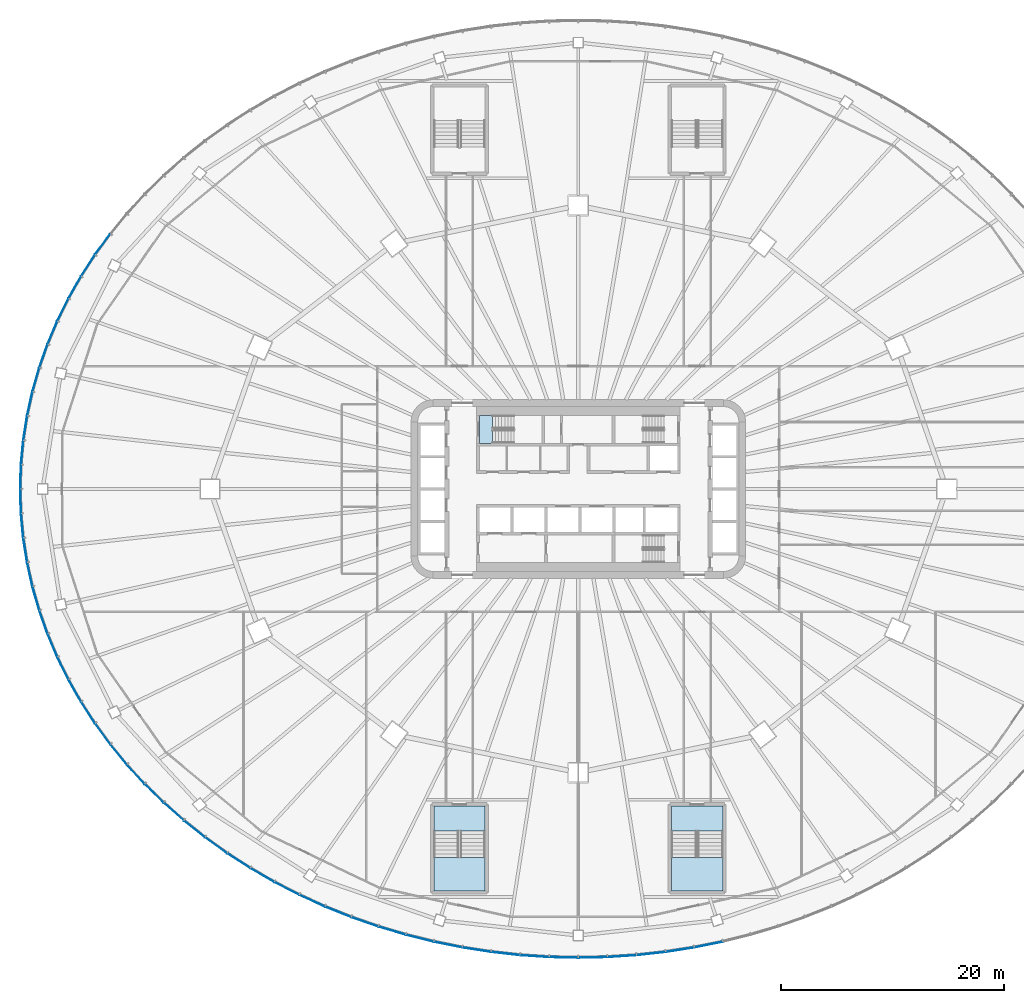
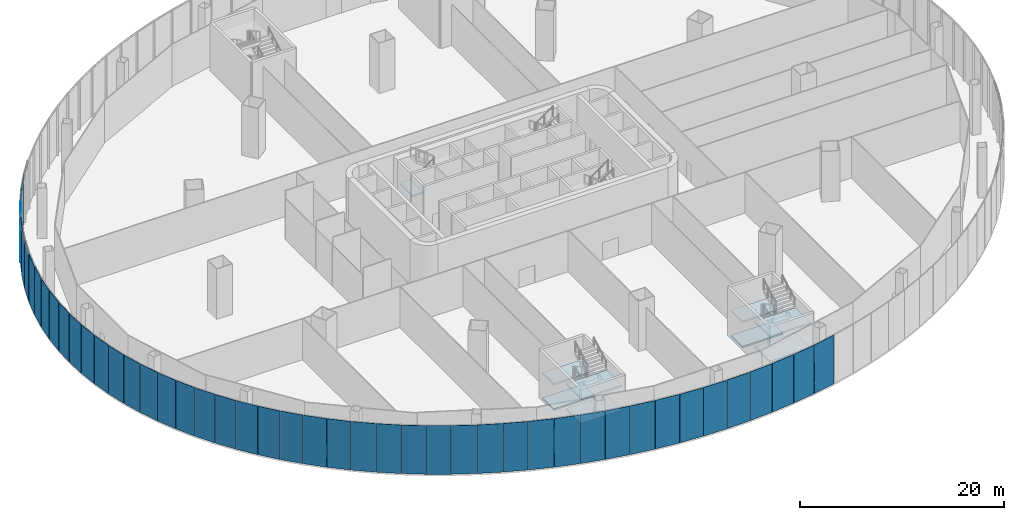
# One storey, part 16 of 37: 46 plates, 9 slabs, 13 elements without a shape of their own.
"""IFC4 building model written with IfcOpenShell, lengths in metres."""

from ifc_helpers import new_model, si_unit, direction, frame, origin, place, context, subcontext, project, spatial, polyline, outline, extrude, material, layer, layer_set, type_object, element, aggregate, save


model = new_model("IFC4")

# Units and contexts
model_context = context("Model", 3, precision=1e-05, world=origin(), true_north=direction((0.0, 1.0)))
body_context = subcontext(model_context, "Body", "Model", "MODEL_VIEW")
ifc_project = project(units=[si_unit("LENGTHUNIT", "METRE"), si_unit("AREAUNIT", "SQUARE_METRE"), si_unit("VOLUMEUNIT", "CUBIC_METRE"), si_unit("PLANEANGLEUNIT", "RADIAN"), si_unit("MASSUNIT", "GRAM", prefix="KILO")], contexts=[model_context])

# Site, building, storey
site_placement = place(None, origin())
site = spatial("IfcSite", under=ifc_project, at=site_placement, CompositionType="ELEMENT")
building_placement = place(site_placement, origin())
building = spatial("IfcBuilding", under=site, at=building_placement, Name="Sahrelin Media Tower", CompositionType="ELEMENT")
storey_placement = place(building_placement, frame((0.0, 0.0, 31.39990234375)))
storey = spatial("IfcBuildingStorey", under=building, at=storey_placement, Name="L04", CompositionType="ELEMENT", Elevation=31.39990234375)

# Curtain wall, plate
ifc_material_1 = material(Name="Champagne anodised aluminium 6063-T6", Category="aluminium")
ifc_layer_1 = layer(ifc_material_1, 0.14990234375)
ifc_layer_set_1 = layer_set([ifc_layer_1], Name="Podium ribbon curtain wall")
curtain_wall_type = type_object("IfcCurtainWallType", Name="Podium ribbon curtain wall", PredefinedType="NOTDEFINED", material=ifc_layer_set_1)
curtain_wall_1_placement = place(storey_placement, frame((-35.355224609375, 29.698486328125, 0.0), z_axis=(0.0, 0.0, 1.0), x_axis=(1.0, 0.0, 0.0)))
curtain_wall_1 = element("IfcCurtainWall", 1, at=curtain_wall_1_placement, inside=storey, type_object=curtain_wall_type, Name="L04:CW:L04-P09", PredefinedType="NOTDEFINED")
ifc_material_2 = material(Name="Clear low-iron glazing", Category="glass")
ifc_layer_2 = layer(ifc_material_2, 0.050048828125)
ifc_layer_set_2 = layer_set([ifc_layer_2], Name="Glazing panel 50 mm CW5")
plate_type = type_object("IfcPlateType", Name="Glazing panel 50 mm CW5", PredefinedType="CURTAIN_PANEL", material=ifc_layer_set_2)
plate_1_placement = place(storey_placement, frame((-41.97900390625, 22.84619140625, 0.0), z_axis=(-0.807851823107, 0.589385639376, 0.0), x_axis=(-0.589385639376, -0.807851823107, 0.0)))
plate_1 = element("IfcPlate", 2, at=plate_1_placement, type_object=plate_type, Name="L04:CWP5a:L04-P09", PredefinedType="CURTAIN_PANEL", context=body_context, shape_type="SweptSolid", body=[
    extrude(outline(polyline([(0.0, 0.0), (2.270751953125, 0.0), (2.270751953125, 5.800048828125), (0.0, 5.800048828125), (0.0, 0.0)])), origin(), (0.0, 0.0, -1.0), 0.050048828125),
])
aggregate(curtain_wall_1, [plate_1])

# Curtain wall, plates
curtain_wall_2_placement = place(storey_placement, frame((-43.30126953125, 21.0, 0.0), z_axis=(0.0, 0.0, 1.0), x_axis=(1.0, 0.0, 0.0)))
curtain_wall_2 = element("IfcCurtainWall", 3, at=curtain_wall_2_placement, inside=storey, type_object=curtain_wall_type, Name="L04:CW:L04-P10", PredefinedType="NOTDEFINED")
plate_2_placement = place(storey_placement, frame((-43.34521484375, 20.968994140625, 0.0), z_axis=(-0.8398261415, 0.542855461476, 0.0), x_axis=(-0.542855461476, -0.8398261415, 0.0)))
plate_2 = element("IfcPlate", 4, at=plate_2_placement, type_object=plate_type, Name="L04:CWP1a:L04-P10", PredefinedType="CURTAIN_PANEL", context=body_context, shape_type="SweptSolid", body=[
    extrude(outline(polyline([(0.0, 0.0), (2.2509765625, 0.0), (2.2509765625, 5.800048828125), (0.0, 5.800048828125), (0.0, 0.0)])), origin(), (0.0, 0.0, -1.0), 0.050048828125),
])
plate_3_placement = place(storey_placement, frame((-44.59228515625, 19.033935546875, 0.0), z_axis=(-0.869579307172, 0.493793305481, 0.0), x_axis=(-0.493793305481, -0.869579307172, 0.0)))
plate_3 = element("IfcPlate", 5, at=plate_3_placement, type_object=plate_type, Name="L04:CWP2a:L04-P10", PredefinedType="CURTAIN_PANEL", context=body_context, shape_type="SweptSolid", body=[
    extrude(outline(polyline([(0.0, 0.0), (2.232421875, 0.0), (2.232421875, 5.800048828125), (0.0, 5.800048828125), (0.0, 0.0)])), origin(), (0.0, 0.0, -1.0), 0.050048828125),
])
plate_4_placement = place(storey_placement, frame((-45.71728515625, 17.046875, 0.0), z_axis=(-0.896860688501, 0.442313130509, 0.0), x_axis=(-0.442313130509, -0.896860688501, 0.0)))
plate_4 = element("IfcPlate", 6, at=plate_4_placement, type_object=plate_type, Name="L04:CWP3a:L04-P10", PredefinedType="CURTAIN_PANEL", context=body_context, shape_type="SweptSolid", body=[
    extrude(outline(polyline([(0.0, 0.0), (2.215087890625, 0.0), (2.215087890625, 5.800048828125), (0.0, 5.800048828125), (0.0, 0.0)])), origin(), (0.0, 0.0, -1.0), 0.050048828125),
])
plate_5_placement = place(storey_placement, frame((-46.716796875, 15.01318359375, 0.0), z_axis=(-0.921443029492, 0.388513504785, 0.0), x_axis=(-0.388513504785, -0.921443029492, 0.0)))
plate_5 = element("IfcPlate", 7, at=plate_5_placement, type_object=plate_type, Name="L04:CWP4a:L04-P10", PredefinedType="CURTAIN_PANEL", context=body_context, shape_type="SweptSolid", body=[
    extrude(outline(polyline([(0.0, 0.0), (2.199462890625, 0.0), (2.199462890625, 5.800048828125), (0.0, 5.800048828125), (0.0, 0.0)])), origin(), (0.0, 0.0, -1.0), 0.050048828125),
])
plate_6_placement = place(storey_placement, frame((-47.58837890625, 12.938232421875, 0.0), z_axis=(-0.943078982839, 0.332568838179, 0.0), x_axis=(-0.332568838179, -0.943078982839, 0.0)))
plate_6 = element("IfcPlate", 8, at=plate_6_placement, type_object=plate_type, Name="L04:CWP5a:L04-P10", PredefinedType="CURTAIN_PANEL", context=body_context, shape_type="SweptSolid", body=[
    extrude(outline(polyline([(0.0, 0.0), (2.185546875, 0.0), (2.185546875, 5.800048828125), (0.0, 5.800048828125), (0.0, 0.0)])), origin(), (0.0, 0.0, -1.0), 0.050048828125),
])
aggregate(curtain_wall_2, [plate_2, plate_3, plate_4, plate_5, plate_6])

curtain_wall_3_placement = place(storey_placement, frame((-48.29638671875, 10.870361328125, 0.0), z_axis=(0.0, 0.0, 1.0), x_axis=(1.0, 0.0, 0.0)))
curtain_wall_3 = element("IfcCurtainWall", 9, at=curtain_wall_3_placement, inside=storey, type_object=curtain_wall_type, Name="L04:CW:L04-P11", PredefinedType="NOTDEFINED")
plate_7_placement = place(storey_placement, frame((-48.329345703125, 10.827880859375, 0.0), z_axis=(-0.961523947641, 0.274721127897, 0.0), x_axis=(-0.274721127897, -0.961523947641, 0.0)))
plate_7 = element("IfcPlate", 10, at=plate_7_placement, type_object=plate_type, Name="L04:CWP1a:L04-P11", PredefinedType="CURTAIN_PANEL", context=body_context, shape_type="SweptSolid", body=[
    extrude(outline(polyline([(0.0, 0.0), (2.173828125, 0.0), (2.173828125, 5.800048828125), (0.0, 5.800048828125), (0.0, 0.0)])), origin(), (0.0, 0.0, -1.0), 0.050048828125),
])
plate_8_placement = place(storey_placement, frame((-48.937744140625, 8.687744140625, 0.0), z_axis=(-0.976533544089, 0.215365357632, 0.0), x_axis=(-0.215365357632, -0.976533544089, 0.0)))
plate_8 = element("IfcPlate", 11, at=plate_8_placement, type_object=plate_type, Name="L04:CWP2a:L04-P11", PredefinedType="CURTAIN_PANEL", context=body_context, shape_type="SweptSolid", body=[
    extrude(outline(polyline([(0.0, 0.0), (2.1640625, 0.0), (2.1640625, 5.800048828125), (0.0, 5.800048828125), (0.0, 0.0)])), origin(), (0.0, 0.0, -1.0), 0.050048828125),
])
plate_9_placement = place(storey_placement, frame((-49.411865234375, 6.52392578125, 0.0), z_axis=(-0.987935832561, 0.154863781247, 0.0), x_axis=(-0.154863781247, -0.987935832561, 0.0)))
plate_9 = element("IfcPlate", 12, at=plate_9_placement, type_object=plate_type, Name="L04:CWP3a:L04-P11", PredefinedType="CURTAIN_PANEL", context=body_context, shape_type="SweptSolid", body=[
    extrude(outline(polyline([(0.0, 0.0), (2.15673828125, 0.0), (2.15673828125, 5.800048828125), (0.0, 5.800048828125), (0.0, 0.0)])), origin(), (0.0, 0.0, -1.0), 0.050048828125),
])
plate_10_placement = place(storey_placement, frame((-49.750732421875, 4.34228515625, 0.0), z_axis=(-0.995641143161, 0.093266896829, 0.0), x_axis=(-0.093266896829, -0.995641143161, 0.0)))
plate_10 = element("IfcPlate", 13, at=plate_10_placement, type_object=plate_type, Name="L04:CWP4a:L04-P11", PredefinedType="CURTAIN_PANEL", context=body_context, shape_type="SweptSolid", body=[
    extrude(outline(polyline([(0.0, 0.0), (2.151611328125, 0.0), (2.151611328125, 5.800048828125), (0.0, 5.800048828125), (0.0, 0.0)])), origin(), (0.0, 0.0, -1.0), 0.050048828125),
])
plate_11_placement = place(storey_placement, frame((-49.952880859375, 2.148681640625, 0.0), z_axis=(-0.999511965258, 0.031238298721, 0.0), x_axis=(-0.031238298721, -0.999511965258, 0.0)))
plate_11 = element("IfcPlate", 14, at=plate_11_placement, type_object=plate_type, Name="L04:CWP5a:L04-P11", PredefinedType="CURTAIN_PANEL", context=body_context, shape_type="SweptSolid", body=[
    extrude(outline(polyline([(0.0, 0.0), (2.149169921875, 0.0), (2.149169921875, 5.800048828125), (0.0, 5.800048828125), (0.0, 0.0)])), origin(), (0.0, 0.0, -1.0), 0.050048828125),
])
aggregate(curtain_wall_3, [plate_7, plate_8, plate_9, plate_10, plate_11])

curtain_wall_4_placement = place(storey_placement, frame((-50.0, 0.0, 0.0), z_axis=(0.0, 0.0, 1.0), x_axis=(1.0, 0.0, 0.0)))
curtain_wall_4 = element("IfcCurtainWall", 15, at=curtain_wall_4_placement, inside=storey, type_object=curtain_wall_type, Name="L04:CW:L04-P12", PredefinedType="NOTDEFINED")
plate_12_placement = place(storey_placement, frame((-50.018310546875, -0.050537109375, 0.0), z_axis=(-0.999515505573, -0.031124815153, 0.0), x_axis=(0.031124815153, -0.999515505573, 0.0)))
plate_12 = element("IfcPlate", 16, at=plate_12_placement, type_object=plate_type, Name="L04:CWP1a:L04-P12", PredefinedType="CURTAIN_PANEL", context=body_context, shape_type="SweptSolid", body=[
    extrude(outline(polyline([(0.0, 0.0), (2.149169921875, 0.0), (2.149169921875, 5.800048828125), (0.0, 5.800048828125), (0.0, 0.0)])), origin(), (0.0, 0.0, -1.0), 0.050048828125),
])
plate_13_placement = place(storey_placement, frame((-49.94677734375, -2.249755859375, 0.0), z_axis=(-0.995641143161, -0.093266896829, 0.0), x_axis=(0.093266896829, -0.995641143161, 0.0)))
plate_13 = element("IfcPlate", 17, at=plate_13_placement, type_object=plate_type, Name="L04:CWP2a:L04-P12", PredefinedType="CURTAIN_PANEL", context=body_context, shape_type="SweptSolid", body=[
    extrude(outline(polyline([(0.0, 0.0), (2.151611328125, 0.0), (2.151611328125, 5.800048828125), (0.0, 5.800048828125), (0.0, 0.0)])), origin(), (0.0, 0.0, -1.0), 0.050048828125),
])
plate_14_placement = place(storey_placement, frame((-49.738037109375, -4.442626953125, 0.0), z_axis=(-0.987953146465, -0.154753288784, 0.0), x_axis=(0.154753288784, -0.987953146465, 0.0)))
plate_14 = element("IfcPlate", 18, at=plate_14_placement, type_object=plate_type, Name="L04:CWP3a:L04-P12", PredefinedType="CURTAIN_PANEL", context=body_context, shape_type="SweptSolid", body=[
    extrude(outline(polyline([(0.0, 0.0), (2.156494140625, 0.0), (2.156494140625, 5.800048828125), (0.0, 5.800048828125), (0.0, 0.0)])), origin(), (0.0, 0.0, -1.0), 0.050048828125),
])
plate_15_placement = place(storey_placement, frame((-49.393310546875, -6.623291015625, 0.0), z_axis=(-0.976509812281, -0.21547293686, 0.0), x_axis=(0.21547293686, -0.976509812281, 0.0)))
plate_15 = element("IfcPlate", 19, at=plate_15_placement, type_object=plate_type, Name="L04:CWP4a:L04-P12", PredefinedType="CURTAIN_PANEL", context=body_context, shape_type="SweptSolid", body=[
    extrude(outline(polyline([(0.0, 0.0), (2.1640625, 0.0), (2.1640625, 5.800048828125), (0.0, 5.800048828125), (0.0, 0.0)])), origin(), (0.0, 0.0, -1.0), 0.050048828125),
])
plate_16_placement = place(storey_placement, frame((-48.912841796875, -8.785888671875, 0.0), z_axis=(-0.961494274984, -0.274824960972, 0.0), x_axis=(0.274824960972, -0.961494274984, 0.0)))
plate_16 = element("IfcPlate", 20, at=plate_16_placement, type_object=plate_type, Name="L04:CWP5a:L04-P12", PredefinedType="CURTAIN_PANEL", context=body_context, shape_type="SweptSolid", body=[
    extrude(outline(polyline([(0.0, 0.0), (2.173828125, 0.0), (2.173828125, 5.800048828125), (0.0, 5.800048828125), (0.0, 0.0)])), origin(), (0.0, 0.0, -1.0), 0.050048828125),
])
aggregate(curtain_wall_4, [plate_12, plate_13, plate_14, plate_15, plate_16])

curtain_wall_5_placement = place(storey_placement, frame((-48.29638671875, -10.870361328125, 0.0), z_axis=(0.0, 0.0, 1.0), x_axis=(1.0, 0.0, 0.0)))
curtain_wall_5 = element("IfcCurtainWall", 21, at=curtain_wall_5_placement, inside=storey, type_object=curtain_wall_type, Name="L04:CW:L04-P13", PredefinedType="NOTDEFINED")
plate_17_placement = place(storey_placement, frame((-48.298583984375, -10.92431640625, 0.0), z_axis=(-0.943078982839, -0.332568838179, 0.0), x_axis=(0.332568838179, -0.943078982839, 0.0)))
plate_17 = element("IfcPlate", 22, at=plate_17_placement, type_object=plate_type, Name="L04:CWP1a:L04-P13", PredefinedType="CURTAIN_PANEL", context=body_context, shape_type="SweptSolid", body=[
    extrude(outline(polyline([(0.0, 0.0), (2.185546875, 0.0), (2.185546875, 5.800048828125), (0.0, 5.800048828125), (0.0, 0.0)])), origin(), (0.0, 0.0, -1.0), 0.050048828125),
])
plate_18_placement = place(storey_placement, frame((-47.5517578125, -13.032470703125, 0.0), z_axis=(-0.921499510247, -0.388379521363, 0.0), x_axis=(0.388379521363, -0.921499510247, 0.0)))
plate_18 = element("IfcPlate", 23, at=plate_18_placement, type_object=plate_type, Name="L04:CWP2a:L04-P13", PredefinedType="CURTAIN_PANEL", context=body_context, shape_type="SweptSolid", body=[
    extrude(outline(polyline([(0.0, 0.0), (2.199462890625, 0.0), (2.199462890625, 5.800048828125), (0.0, 5.800048828125), (0.0, 0.0)])), origin(), (0.0, 0.0, -1.0), 0.050048828125),
])
plate_19_placement = place(storey_placement, frame((-46.6748046875, -15.105224609375, 0.0), z_axis=(-0.896904409808, -0.442224467513, 0.0), x_axis=(0.442224467513, -0.896904409808, 0.0)))
plate_19 = element("IfcPlate", 24, at=plate_19_placement, type_object=plate_type, Name="L04:CWP3a:L04-P13", PredefinedType="CURTAIN_PANEL", context=body_context, shape_type="SweptSolid", body=[
    extrude(outline(polyline([(0.0, 0.0), (2.21484375, 0.0), (2.21484375, 5.800048828125), (0.0, 5.800048828125), (0.0, 0.0)])), origin(), (0.0, 0.0, -1.0), 0.050048828125),
])
plate_20_placement = place(storey_placement, frame((-45.669921875, -17.13623046875, 0.0), z_axis=(-0.869579307172, -0.493793305481, 0.0), x_axis=(0.493793305481, -0.869579307172, 0.0)))
plate_20 = element("IfcPlate", 25, at=plate_20_placement, type_object=plate_type, Name="L04:CWP4a:L04-P13", PredefinedType="CURTAIN_PANEL", context=body_context, shape_type="SweptSolid", body=[
    extrude(outline(polyline([(0.0, 0.0), (2.232421875, 0.0), (2.232421875, 5.800048828125), (0.0, 5.800048828125), (0.0, 0.0)])), origin(), (0.0, 0.0, -1.0), 0.050048828125),
])
plate_21_placement = place(storey_placement, frame((-44.5400390625, -19.120361328125, 0.0), z_axis=(-0.839858100208, -0.542806016469, 0.0), x_axis=(0.542806016469, -0.839858100208, 0.0)))
plate_21 = element("IfcPlate", 26, at=plate_21_placement, type_object=plate_type, Name="L04:CWP5a:L04-P13", PredefinedType="CURTAIN_PANEL", context=body_context, shape_type="SweptSolid", body=[
    extrude(outline(polyline([(0.0, 0.0), (2.251220703125, 0.0), (2.251220703125, 5.800048828125), (0.0, 5.800048828125), (0.0, 0.0)])), origin(), (0.0, 0.0, -1.0), 0.050048828125),
])
aggregate(curtain_wall_5, [plate_17, plate_18, plate_19, plate_20, plate_21])

curtain_wall_6_placement = place(storey_placement, frame((-43.30126953125, -21.0, 0.0), z_axis=(0.0, 0.0, 1.0), x_axis=(1.0, 0.0, 0.0)))
curtain_wall_6 = element("IfcCurtainWall", 27, at=curtain_wall_6_placement, inside=storey, type_object=curtain_wall_type, Name="L04:CW:L04-P14", PredefinedType="NOTDEFINED")
plate_22_placement = place(storey_placement, frame((-43.2880859375, -21.05224609375, 0.0), z_axis=(-0.807851823107, -0.589385639376, 0.0), x_axis=(0.589385639376, -0.807851823107, 0.0)))
plate_22 = element("IfcPlate", 28, at=plate_22_placement, type_object=plate_type, Name="L04:CWP1a:L04-P14", PredefinedType="CURTAIN_PANEL", context=body_context, shape_type="SweptSolid", body=[
    extrude(outline(polyline([(0.0, 0.0), (2.270751953125, 0.0), (2.270751953125, 5.800048828125), (0.0, 5.800048828125), (0.0, 0.0)])), origin(), (0.0, 0.0, -1.0), 0.050048828125),
])
plate_23_placement = place(storey_placement, frame((-41.917236328125, -22.92626953125, 0.0), z_axis=(-0.773971540698, -0.633220383586, 0.0), x_axis=(0.633220383586, -0.773971540698, 0.0)))
plate_23 = element("IfcPlate", 29, at=plate_23_placement, type_object=plate_type, Name="L04:CWP2a:L04-P14", PredefinedType="CURTAIN_PANEL", context=body_context, shape_type="SweptSolid", body=[
    extrude(outline(polyline([(0.0, 0.0), (2.291259765625, 0.0), (2.291259765625, 5.800048828125), (0.0, 5.800048828125), (0.0, 0.0)])), origin(), (0.0, 0.0, -1.0), 0.050048828125),
])
plate_24_placement = place(storey_placement, frame((-40.431884765625, -24.7373046875, 0.0), z_axis=(-0.738366649953, -0.674399503438, 0.0), x_axis=(0.674399503438, -0.738366649953, 0.0)))
plate_24 = element("IfcPlate", 30, at=plate_24_placement, type_object=plate_type, Name="L04:CWP3a:L04-P14", PredefinedType="CURTAIN_PANEL", context=body_context, shape_type="SweptSolid", body=[
    extrude(outline(polyline([(0.0, 0.0), (2.31298828125, 0.0), (2.31298828125, 5.800048828125), (0.0, 5.800048828125), (0.0, 0.0)])), origin(), (0.0, 0.0, -1.0), 0.050048828125),
])
plate_25_placement = place(storey_placement, frame((-38.835693359375, -26.480712890625, 0.0), z_axis=(-0.701226778189, -0.712938290142, 0.0), x_axis=(0.712938290142, -0.701226778189, 0.0)))
plate_25 = element("IfcPlate", 31, at=plate_25_placement, type_object=plate_type, Name="L04:CWP4a:L04-P14", PredefinedType="CURTAIN_PANEL", context=body_context, shape_type="SweptSolid", body=[
    extrude(outline(polyline([(0.0, 0.0), (2.334716796875, 0.0), (2.334716796875, 5.800048828125), (0.0, 5.800048828125), (0.0, 0.0)])), origin(), (0.0, 0.0, -1.0), 0.050048828125),
])
plate_26_placement = place(storey_placement, frame((-37.133056640625, -28.151611328125, 0.0), z_axis=(-0.662799646717, -0.74879678706, 0.0), x_axis=(0.74879678706, -0.662799646717, 0.0)))
plate_26 = element("IfcPlate", 32, at=plate_26_placement, type_object=plate_type, Name="L04:CWP5a:L04-P14", PredefinedType="CURTAIN_PANEL", context=body_context, shape_type="SweptSolid", body=[
    extrude(outline(polyline([(0.0, 0.0), (2.356201171875, 0.0), (2.356201171875, 5.800048828125), (0.0, 5.800048828125), (0.0, 0.0)])), origin(), (0.0, 0.0, -1.0), 0.050048828125),
])
aggregate(curtain_wall_6, [plate_22, plate_23, plate_24, plate_25, plate_26])

curtain_wall_7_placement = place(storey_placement, frame((-35.355224609375, -29.698486328125, 0.0), z_axis=(0.0, 0.0, 1.0), x_axis=(1.0, 0.0, 0.0)))
curtain_wall_7 = element("IfcCurtainWall", 33, at=curtain_wall_7_placement, inside=storey, type_object=curtain_wall_type, Name="L04:CW:L04-P15", PredefinedType="NOTDEFINED")
plate_27_placement = place(storey_placement, frame((-35.32861328125, -29.745361328125, 0.0), z_axis=(-0.62334202437, -0.781949308238, 0.0), x_axis=(0.781949308238, -0.62334202437, 0.0)))
plate_27 = element("IfcPlate", 34, at=plate_27_placement, type_object=plate_type, Name="L04:CWP1a:L04-P15", PredefinedType="CURTAIN_PANEL", context=body_context, shape_type="SweptSolid", body=[
    extrude(outline(polyline([(0.0, 0.0), (2.378173828125, 0.0), (2.378173828125, 5.800048828125), (0.0, 5.800048828125), (0.0, 0.0)])), origin(), (0.0, 0.0, -1.0), 0.050048828125),
])
plate_28_placement = place(storey_placement, frame((-33.427490234375, -31.257568359375, 0.0), z_axis=(-0.582969203384, -0.812494250999, 0.0), x_axis=(0.812494250999, -0.582969203384, 0.0)))
plate_28 = element("IfcPlate", 35, at=plate_28_placement, type_object=plate_type, Name="L04:CWP2a:L04-P15", PredefinedType="CURTAIN_PANEL", context=body_context, shape_type="SweptSolid", body=[
    extrude(outline(polyline([(0.0, 0.0), (2.399658203125, 0.0), (2.399658203125, 5.800048828125), (0.0, 5.800048828125), (0.0, 0.0)])), origin(), (0.0, 0.0, -1.0), 0.050048828125),
])
plate_29_placement = place(storey_placement, frame((-31.434814453125, -32.68408203125, 0.0), z_axis=(-0.541786842033, -0.840515923585, 0.0), x_axis=(0.840515923585, -0.541786842033, 0.0)))
plate_29 = element("IfcPlate", 36, at=plate_29_placement, type_object=plate_type, Name="L04:CWP3a:L04-P15", PredefinedType="CURTAIN_PANEL", context=body_context, shape_type="SweptSolid", body=[
    extrude(outline(polyline([(0.0, 0.0), (2.420654296875, 0.0), (2.420654296875, 5.800048828125), (0.0, 5.800048828125), (0.0, 0.0)])), origin(), (0.0, 0.0, -1.0), 0.050048828125),
])
plate_30_placement = place(storey_placement, frame((-29.35595703125, -34.02099609375, 0.0), z_axis=(-0.499979298005, -0.866037355757, 0.0), x_axis=(0.866037355757, -0.499979298005, 0.0)))
plate_30 = element("IfcPlate", 37, at=plate_30_placement, type_object=plate_type, Name="L04:CWP4a:L04-P15", PredefinedType="CURTAIN_PANEL", context=body_context, shape_type="SweptSolid", body=[
    extrude(outline(polyline([(0.0, 0.0), (2.44091796875, 0.0), (2.44091796875, 5.800048828125), (0.0, 5.800048828125), (0.0, 0.0)])), origin(), (0.0, 0.0, -1.0), 0.050048828125),
])
plate_31_placement = place(storey_placement, frame((-27.19677734375, -35.264892578125, 0.0), z_axis=(-0.457661890487, -0.88912630936, 0.0), x_axis=(0.88912630936, -0.457661890487, 0.0)))
plate_31 = element("IfcPlate", 38, at=plate_31_placement, type_object=plate_type, Name="L04:CWP5a:L04-P15", PredefinedType="CURTAIN_PANEL", context=body_context, shape_type="SweptSolid", body=[
    extrude(outline(polyline([(0.0, 0.0), (2.460205078125, 0.0), (2.460205078125, 5.800048828125), (0.0, 5.800048828125), (0.0, 0.0)])), origin(), (0.0, 0.0, -1.0), 0.050048828125),
])
aggregate(curtain_wall_7, [plate_27, plate_28, plate_29, plate_30, plate_31])

curtain_wall_8_placement = place(storey_placement, frame((-25.0, -36.373046875, 0.0), z_axis=(0.0, 0.0, 1.0), x_axis=(1.0, 0.0, 0.0)))
curtain_wall_8 = element("IfcCurtainWall", 39, at=curtain_wall_8_placement, inside=storey, type_object=curtain_wall_type, Name="L04:CW:L04-P16", PredefinedType="NOTDEFINED")
plate_32_placement = place(storey_placement, frame((-24.962890625, -36.412109375, 0.0), z_axis=(-0.414893598906, -0.909869936632, 0.0), x_axis=(0.909869936632, -0.414893598906, 0.0)))
plate_32 = element("IfcPlate", 40, at=plate_32_placement, type_object=plate_type, Name="L04:CWP1a:L04-P16", PredefinedType="CURTAIN_PANEL", context=body_context, shape_type="SweptSolid", body=[
    extrude(outline(polyline([(0.0, 0.0), (2.478515625, 0.0), (2.478515625, 5.800048828125), (0.0, 5.800048828125), (0.0, 0.0)])), origin(), (0.0, 0.0, -1.0), 0.050048828125),
])
plate_33_placement = place(storey_placement, frame((-22.660400390625, -37.45947265625, 0.0), z_axis=(-0.371913588766, -0.928267355071, 0.0), x_axis=(0.928267355071, -0.371913588766, 0.0)))
plate_33 = element("IfcPlate", 41, at=plate_33_placement, type_object=plate_type, Name="L04:CWP2a:L04-P16", PredefinedType="CURTAIN_PANEL", context=body_context, shape_type="SweptSolid", body=[
    extrude(outline(polyline([(0.0, 0.0), (2.4951171875, 0.0), (2.4951171875, 5.800048828125), (0.0, 5.800048828125), (0.0, 0.0)])), origin(), (0.0, 0.0, -1.0), 0.050048828125),
])
plate_34_placement = place(storey_placement, frame((-20.296142578125, -38.404296875, 0.0), z_axis=(-0.328599832248, -0.944469242615, 0.0), x_axis=(0.944469242615, -0.328599832248, 0.0)))
plate_34 = element("IfcPlate", 42, at=plate_34_placement, type_object=plate_type, Name="L04:CWP3a:L04-P16", PredefinedType="CURTAIN_PANEL", context=body_context, shape_type="SweptSolid", body=[
    extrude(outline(polyline([(0.0, 0.0), (2.510498046875, 0.0), (2.510498046875, 5.800048828125), (0.0, 5.800048828125), (0.0, 0.0)])), origin(), (0.0, 0.0, -1.0), 0.050048828125),
])
plate_35_placement = place(storey_placement, frame((-17.876220703125, -39.243896484375, 0.0), z_axis=(-0.285102349758, -0.958497078849, 0.0), x_axis=(0.958497078849, -0.285102349758, 0.0)))
plate_35 = element("IfcPlate", 43, at=plate_35_placement, type_object=plate_type, Name="L04:CWP4a:L04-P16", PredefinedType="CURTAIN_PANEL", context=body_context, shape_type="SweptSolid", body=[
    extrude(outline(polyline([(0.0, 0.0), (2.5244140625, 0.0), (2.5244140625, 5.800048828125), (0.0, 5.800048828125), (0.0, 0.0)])), origin(), (0.0, 0.0, -1.0), 0.050048828125),
])
plate_36_placement = place(storey_placement, frame((-15.406982421875, -39.975830078125, 0.0), z_axis=(-0.241516267963, -0.970396770558, 0.0), x_axis=(0.970396770558, -0.241516267963, 0.0)))
plate_36 = element("IfcPlate", 44, at=plate_36_placement, type_object=plate_type, Name="L04:CWP5a:L04-P16", PredefinedType="CURTAIN_PANEL", context=body_context, shape_type="SweptSolid", body=[
    extrude(outline(polyline([(0.0, 0.0), (2.536376953125, 0.0), (2.536376953125, 5.800048828125), (0.0, 5.800048828125), (0.0, 0.0)])), origin(), (0.0, 0.0, -1.0), 0.050048828125),
])
aggregate(curtain_wall_8, [plate_32, plate_33, plate_34, plate_35, plate_36])

curtain_wall_9_placement = place(storey_placement, frame((-12.94091796875, -40.56884765625, 0.0), z_axis=(0.0, 0.0, 1.0), x_axis=(1.0, 0.0, 0.0)))
curtain_wall_9 = element("IfcCurtainWall", 45, at=curtain_wall_9_placement, inside=storey, type_object=curtain_wall_type, Name="L04:CW:L04-P17", PredefinedType="NOTDEFINED")
plate_37_placement = place(storey_placement, frame((-12.89599609375, -40.598388671875, 0.0), z_axis=(-0.197682982877, -0.980266003838, 0.0), x_axis=(0.980266003838, -0.197682982877, 0.0)))
plate_37 = element("IfcPlate", 46, at=plate_37_placement, type_object=plate_type, Name="L04:CWP1a:L04-P17", PredefinedType="CURTAIN_PANEL", context=body_context, shape_type="SweptSolid", body=[
    extrude(outline(polyline([(0.0, 0.0), (2.546630859375, 0.0), (2.546630859375, 5.800048828125), (0.0, 5.800048828125), (0.0, 0.0)])), origin(), (0.0, 0.0, -1.0), 0.050048828125),
])
plate_38_placement = place(storey_placement, frame((-10.349365234375, -41.109619140625, 0.0), z_axis=(-0.153837616307, -0.988096142999, 0.0), x_axis=(0.988096142999, -0.153837616307, 0.0)))
plate_38 = element("IfcPlate", 47, at=plate_38_placement, type_object=plate_type, Name="L04:CWP2a:L04-P17", PredefinedType="CURTAIN_PANEL", context=body_context, shape_type="SweptSolid", body=[
    extrude(outline(polyline([(0.0, 0.0), (2.55517578125, 0.0), (2.55517578125, 5.800048828125), (0.0, 5.800048828125), (0.0, 0.0)])), origin(), (0.0, 0.0, -1.0), 0.050048828125),
])
plate_39_placement = place(storey_placement, frame((-7.774169921875, -41.50830078125, 0.0), z_axis=(-0.109908392122, -0.9939417213, 0.0), x_axis=(0.9939417213, -0.109908392122, 0.0)))
plate_39 = element("IfcPlate", 48, at=plate_39_placement, type_object=plate_type, Name="L04:CWP3a:L04-P17", PredefinedType="CURTAIN_PANEL", context=body_context, shape_type="SweptSolid", body=[
    extrude(outline(polyline([(0.0, 0.0), (2.561279296875, 0.0), (2.561279296875, 5.800048828125), (0.0, 5.800048828125), (0.0, 0.0)])), origin(), (0.0, 0.0, -1.0), 0.050048828125),
])
plate_40_placement = place(storey_placement, frame((-5.177734375, -41.793212890625, 0.0), z_axis=(-0.065956789275, -0.997822480178, 0.0), x_axis=(0.997822480178, -0.065956789275, 0.0)))
plate_40 = element("IfcPlate", 49, at=plate_40_placement, type_object=plate_type, Name="L04:CWP4a:L04-P17", PredefinedType="CURTAIN_PANEL", context=body_context, shape_type="SweptSolid", body=[
    extrude(outline(polyline([(0.0, 0.0), (2.565185546875, 0.0), (2.565185546875, 5.800048828125), (0.0, 5.800048828125), (0.0, 0.0)])), origin(), (0.0, 0.0, -1.0), 0.050048828125),
])
plate_41_placement = place(storey_placement, frame((-2.5673828125, -41.96337890625, 0.0), z_axis=(-0.022060447041, -0.999756638726, 0.0), x_axis=(0.999756638726, -0.022060447041, 0.0)))
plate_41 = element("IfcPlate", 50, at=plate_41_placement, type_object=plate_type, Name="L04:CWP5a:L04-P17", PredefinedType="CURTAIN_PANEL", context=body_context, shape_type="SweptSolid", body=[
    extrude(outline(polyline([(0.0, 0.0), (2.567626953125, 0.0), (2.567626953125, 5.800048828125), (0.0, 5.800048828125), (0.0, 0.0)])), origin(), (0.0, 0.0, -1.0), 0.050048828125),
])
aggregate(curtain_wall_9, [plate_37, plate_38, plate_39, plate_40, plate_41])

curtain_wall_10_placement = place(storey_placement, frame((0.0, -42.0, 0.0), z_axis=(0.0, 0.0, 1.0), x_axis=(1.0, 0.0, 0.0)))
curtain_wall_10 = element("IfcCurtainWall", 51, at=curtain_wall_10_placement, inside=storey, type_object=curtain_wall_type, Name="L04:CW:L04-P18", PredefinedType="NOTDEFINED")
plate_42_placement = place(storey_placement, frame((0.05029296875, -42.018798828125, 0.0), z_axis=(0.021965404884, -0.999758731389, 0.0), x_axis=(0.999758731389, 0.021965404884, 0.0)))
plate_42 = element("IfcPlate", 52, at=plate_42_placement, type_object=plate_type, Name="L04:CWP1a:L04-P18", PredefinedType="CURTAIN_PANEL", context=body_context, shape_type="SweptSolid", body=[
    extrude(outline(polyline([(0.0, 0.0), (2.567626953125, 0.0), (2.567626953125, 5.800048828125), (0.0, 5.800048828125), (0.0, 0.0)])), origin(), (0.0, 0.0, -1.0), 0.050048828125),
])
plate_43_placement = place(storey_placement, frame((2.66796875, -41.958984375, 0.0), z_axis=(0.065950526052, -0.997822894162, 0.0), x_axis=(0.997822894162, 0.065950526052, 0.0)))
plate_43 = element("IfcPlate", 53, at=plate_43_placement, type_object=plate_type, Name="L04:CWP2a:L04-P18", PredefinedType="CURTAIN_PANEL", context=body_context, shape_type="SweptSolid", body=[
    extrude(outline(polyline([(0.0, 0.0), (2.5654296875, 0.0), (2.5654296875, 5.800048828125), (0.0, 5.800048828125), (0.0, 0.0)])), origin(), (0.0, 0.0, -1.0), 0.050048828125),
])
plate_44_placement = place(storey_placement, frame((5.2783203125, -41.7841796875, 0.0), z_axis=(0.109908392122, -0.9939417213, 0.0), x_axis=(0.9939417213, 0.109908392122, 0.0)))
plate_44 = element("IfcPlate", 54, at=plate_44_placement, type_object=plate_type, Name="L04:CWP3a:L04-P18", PredefinedType="CURTAIN_PANEL", context=body_context, shape_type="SweptSolid", body=[
    extrude(outline(polyline([(0.0, 0.0), (2.561279296875, 0.0), (2.561279296875, 5.800048828125), (0.0, 5.800048828125), (0.0, 0.0)])), origin(), (0.0, 0.0, -1.0), 0.050048828125),
])
plate_45_placement = place(storey_placement, frame((7.874267578125, -41.4951171875, 0.0), z_axis=(0.153852142069, -0.98809388136, 0.0), x_axis=(0.98809388136, 0.153852142069, 0.0)))
plate_45 = element("IfcPlate", 55, at=plate_45_placement, type_object=plate_type, Name="L04:CWP4a:L04-P18", PredefinedType="CURTAIN_PANEL", context=body_context, shape_type="SweptSolid", body=[
    extrude(outline(polyline([(0.0, 0.0), (2.554931640625, 0.0), (2.554931640625, 5.800048828125), (0.0, 5.800048828125), (0.0, 0.0)])), origin(), (0.0, 0.0, -1.0), 0.050048828125),
])
plate_46_placement = place(storey_placement, frame((10.448486328125, -41.091796875, 0.0), z_axis=(0.197664406805, -0.980269749754, 0.0), x_axis=(0.980269749754, 0.197664406805, 0.0)))
plate_46 = element("IfcPlate", 56, at=plate_46_placement, type_object=plate_type, Name="L04:CWP5a:L04-P18", PredefinedType="CURTAIN_PANEL", context=body_context, shape_type="SweptSolid", body=[
    extrude(outline(polyline([(0.0, 0.0), (2.546875, 0.0), (2.546875, 5.800048828125), (0.0, 5.800048828125), (0.0, 0.0)])), origin(), (0.0, 0.0, -1.0), 0.050048828125),
])
aggregate(curtain_wall_10, [plate_42, plate_43, plate_44, plate_45, plate_46])

# Stair, slab
ifc_material_3 = material(Name="Concrete C40/50", Category="concrete")
stair_type_1 = type_object("IfcStairType", Name="Exit stair 1200", PredefinedType="HALF_TURN_STAIR", material=ifc_material_3)
placement_1 = place(storey_placement, origin())
stair_1 = element("IfcStair", 57, at=placement_1, inside=storey, type_object=stair_type_1, Name="L04 Exit stair ST1", PredefinedType="HALF_TURN_STAIR")
ifc_layer_3 = layer(ifc_material_3, 0.199951171875)
ifc_layer_set_3 = layer_set([ifc_layer_3], Name="Stair landing 200")
slab_type = type_object("IfcSlabType", Name="Stair landing 200", PredefinedType="LANDING", material=ifc_layer_set_3)
placement_2 = place(storey_placement, frame((0.0, 0.0, 2.800048828125)))
slab_1 = element("IfcSlab", 58, at=placement_2, type_object=slab_type, Name="ST1 landing 2", PredefinedType="LANDING", context=body_context, shape_type="SweptSolid", body=[
    extrude(outline(polyline([(-8.875, 4.10009765625), (-7.675048828125, 4.10009765625), (-7.675048828125, 6.60009765625), (-8.875, 6.60009765625), (-8.875, 4.10009765625)])), origin(), (0.0, 0.0, 1.0), 0.199951171875),
])
aggregate(stair_1, [slab_1])

# Stair, slabs
stair_type_2 = type_object("IfcStairType", Name="Podium stair 2225", PredefinedType="HALF_TURN_STAIR", material=ifc_material_3)
stair_2 = element("IfcStair", 59, at=placement_1, inside=storey, type_object=stair_type_2, Name="L04 Podium stair PS3", PredefinedType="HALF_TURN_STAIR")
placement_3 = place(storey_placement, frame((0.0, 0.0, 1.300048828125)))
slab_2 = element("IfcSlab", 60, at=placement_3, type_object=slab_type, Name="PS3 landing 1", PredefinedType="LANDING", context=body_context, shape_type="SweptSolid", body=[
    extrude(outline(polyline([(-12.949951171875, -33.02490234375), (-12.949951171875, -36.0), (-8.35009765625, -36.0), (-8.35009765625, -33.02490234375), (-12.949951171875, -33.02490234375)])), origin(), (0.0, 0.0, 1.0), 0.199951171875),
])
slab_3 = element("IfcSlab", 61, at=placement_2, type_object=slab_type, Name="PS3 landing 2", PredefinedType="LANDING", context=body_context, shape_type="SweptSolid", body=[
    extrude(outline(polyline([(-12.949951171875, -28.39990234375), (-12.949951171875, -30.625), (-8.35009765625, -30.625), (-8.35009765625, -28.39990234375), (-12.949951171875, -28.39990234375)])), origin(), (0.0, 0.0, 1.0), 0.199951171875),
])
placement_4 = place(storey_placement, frame((0.0, 0.0, 4.300048828125)))
slab_4 = element("IfcSlab", 62, at=placement_4, type_object=slab_type, Name="PS3 landing 3", PredefinedType="LANDING", context=body_context, shape_type="SweptSolid", body=[
    extrude(outline(polyline([(-12.949951171875, -33.02490234375), (-12.949951171875, -36.0), (-8.35009765625, -36.0), (-8.35009765625, -33.02490234375), (-12.949951171875, -33.02490234375)])), origin(), (0.0, 0.0, 1.0), 0.199951171875),
])
placement_5 = place(storey_placement, frame((0.0, 0.0, -0.199951171875)))
slab_5 = element("IfcSlab", 63, at=placement_5, type_object=slab_type, Name="PS3 landing 4", PredefinedType="LANDING", context=body_context, shape_type="SweptSolid", body=[
    extrude(outline(polyline([(-12.949951171875, -28.39990234375), (-12.949951171875, -30.625), (-8.35009765625, -30.625), (-8.35009765625, -28.39990234375), (-12.949951171875, -28.39990234375)])), origin(), (0.0, 0.0, 1.0), 0.199951171875),
])
aggregate(stair_2, [slab_2, slab_3, slab_4, slab_5])

stair_3 = element("IfcStair", 64, at=placement_1, inside=storey, type_object=stair_type_2, Name="L04 Podium stair PS4", PredefinedType="HALF_TURN_STAIR")
slab_6 = element("IfcSlab", 65, at=placement_3, type_object=slab_type, Name="PS4 landing 1", PredefinedType="LANDING", context=body_context, shape_type="SweptSolid", body=[
    extrude(outline(polyline([(8.35009765625, -33.02490234375), (8.35009765625, -36.0), (12.949951171875, -36.0), (12.949951171875, -33.02490234375), (8.35009765625, -33.02490234375)])), origin(), (0.0, 0.0, 1.0), 0.199951171875),
])
slab_7 = element("IfcSlab", 66, at=placement_2, type_object=slab_type, Name="PS4 landing 2", PredefinedType="LANDING", context=body_context, shape_type="SweptSolid", body=[
    extrude(outline(polyline([(8.35009765625, -28.39990234375), (8.35009765625, -30.625), (12.949951171875, -30.625), (12.949951171875, -28.39990234375), (8.35009765625, -28.39990234375)])), origin(), (0.0, 0.0, 1.0), 0.199951171875),
])
slab_8 = element("IfcSlab", 67, at=placement_4, type_object=slab_type, Name="PS4 landing 3", PredefinedType="LANDING", context=body_context, shape_type="SweptSolid", body=[
    extrude(outline(polyline([(8.35009765625, -33.02490234375), (8.35009765625, -36.0), (12.949951171875, -36.0), (12.949951171875, -33.02490234375), (8.35009765625, -33.02490234375)])), origin(), (0.0, 0.0, 1.0), 0.199951171875),
])
slab_9 = element("IfcSlab", 68, at=placement_5, type_object=slab_type, Name="PS4 landing 4", PredefinedType="LANDING", context=body_context, shape_type="SweptSolid", body=[
    extrude(outline(polyline([(8.35009765625, -28.39990234375), (8.35009765625, -30.625), (12.949951171875, -30.625), (12.949951171875, -28.39990234375), (8.35009765625, -28.39990234375)])), origin(), (0.0, 0.0, 1.0), 0.199951171875),
])
aggregate(stair_3, [slab_6, slab_7, slab_8, slab_9])

save(model, "model.ifc")
